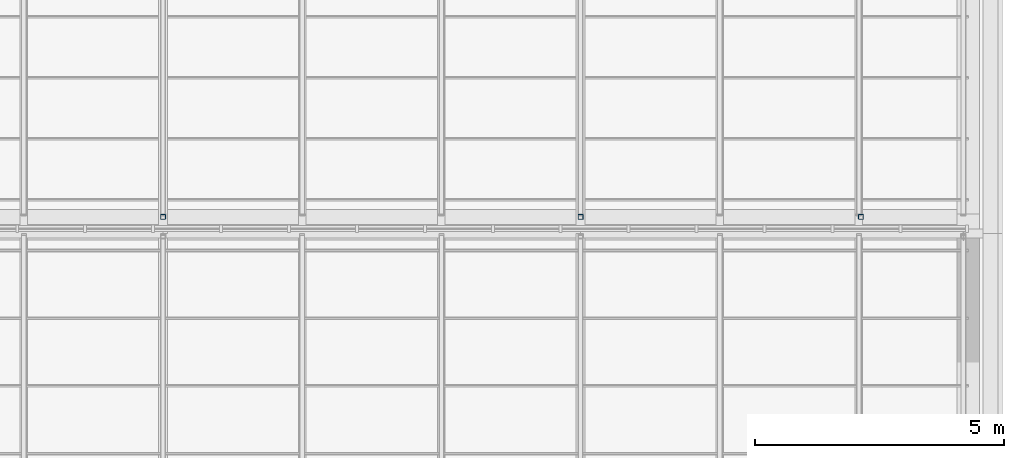
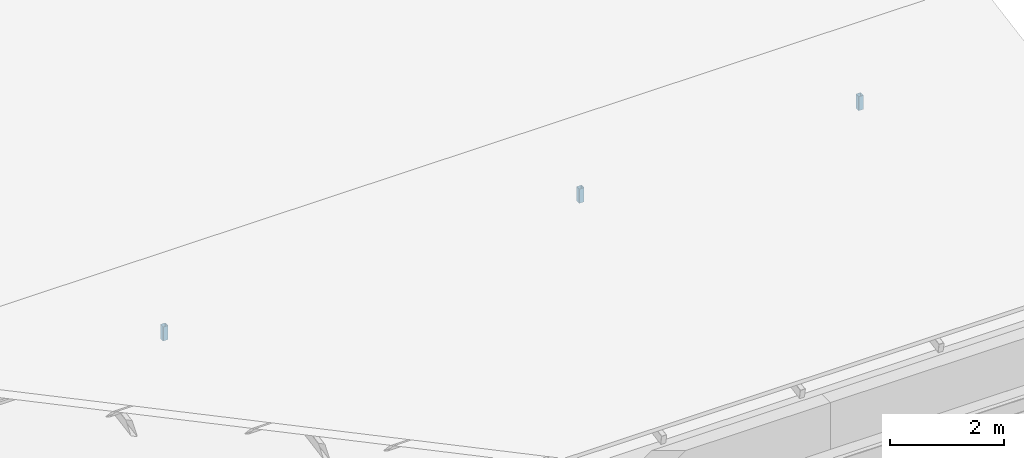
# One storey, part 23 of 42: 3 members.
"""IFC4 building model written with IfcOpenShell, lengths in metres."""

from ifc_helpers import new_model, si_unit, direction, frame, origin, origin_2d, place, context, subcontext, project, spatial, hollow_rectangle, extrude, material, material_profile, profile_set, type_object, element, save


model = new_model("IFC4")

# Units and contexts
model_context = context("Model", 3, precision=1e-05, world=origin(), true_north=direction((0.0, 1.0)))
body_context = subcontext(model_context, "Body", "Model", "MODEL_VIEW")
ifc_project = project(units=[si_unit("LENGTHUNIT", "METRE"), si_unit("AREAUNIT", "SQUARE_METRE"), si_unit("VOLUMEUNIT", "CUBIC_METRE"), si_unit("PLANEANGLEUNIT", "RADIAN"), si_unit("MASSUNIT", "GRAM", prefix="KILO")], contexts=[model_context])

# Site, building, storey
site_placement = place(None, origin())
site = spatial("IfcSite", under=ifc_project, at=site_placement, CompositionType="ELEMENT")
building_placement = place(site_placement, origin())
building = spatial("IfcBuilding", under=site, at=building_placement, Name="Ardhachandra Cancer Care Centre", CompositionType="ELEMENT")
storey_placement = place(building_placement, frame((0.0, 0.0, 22.5)))
storey = spatial("IfcBuildingStorey", under=building, at=storey_placement, Name="L05", CompositionType="ELEMENT", Elevation=22.5)

# Members
ifc_material = material(Name="Steel E350 (IS 2062)", Category="steel")
ifc_material_profile = material_profile(ifc_material, hollow_rectangle(XDim=0.10009765625, YDim=0.10009765625, WallThickness=0.0048828125, InnerFilletRadius=0.0048828125, OuterFilletRadius=0.010009765625, at=origin_2d()), Name="SHS 100x100x5.0")
ifc_profile_set = profile_set([ifc_material_profile], Name="Steel E350 (IS 2062)")
member_type = type_object("IfcMemberType", Name="Sawtooth ridge post SHS 100x100x5.0", PredefinedType="POST", material=ifc_profile_set)
for number, where, z_axis, x_axis, name in (
    (1, (27.60009765625, 80.139892578125, 0.0), (0.0, 0.0, 1.0), (1.0, 0.0, 0.0), "Gutter cradle NT2a.3"),
    (2, (36.0, 80.139892578125, 0.0), (0.0, 0.0, 1.0), (1.0, 0.0, 0.0), "Gutter cradle NT2a.4"),
    (3, (41.639892578125, 80.139892578125, 0.0), (0.0, 0.0, 1.0), (1.0, 0.0, 0.0), "Gutter cradle NT2a.5"),
):
    element("IfcMember", number, at=place(storey_placement, frame(where, z_axis=z_axis, x_axis=x_axis)), inside=storey, type_object=member_type, Name=name, PredefinedType="POST", context=body_context, shape_type="SweptSolid", body=[
        extrude(hollow_rectangle(XDim=0.10009765625, YDim=0.10009765625, WallThickness=0.0048828125, InnerFilletRadius=0.0048828125, OuterFilletRadius=0.010009765625, at=origin_2d()), origin(), (0.0, 0.0, 1.0), 0.300048828125),
    ])

save(model, "model.ifc")
